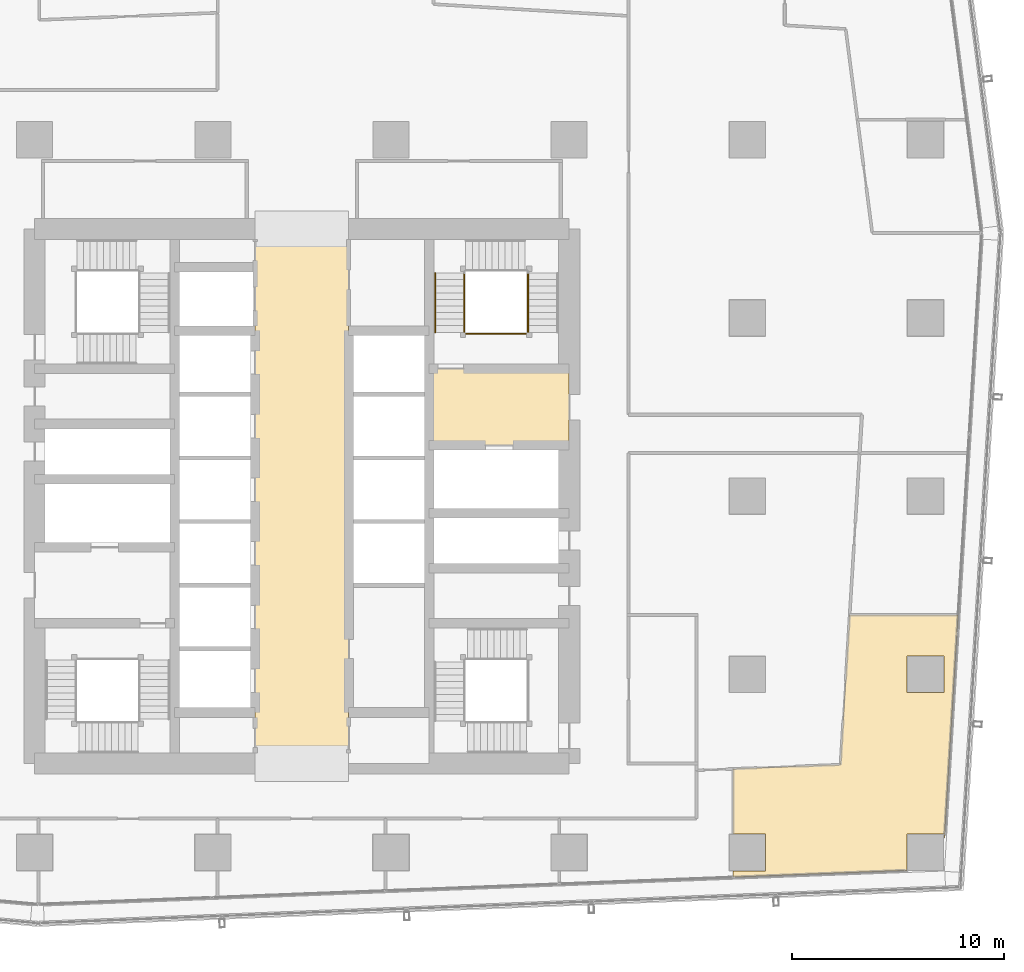
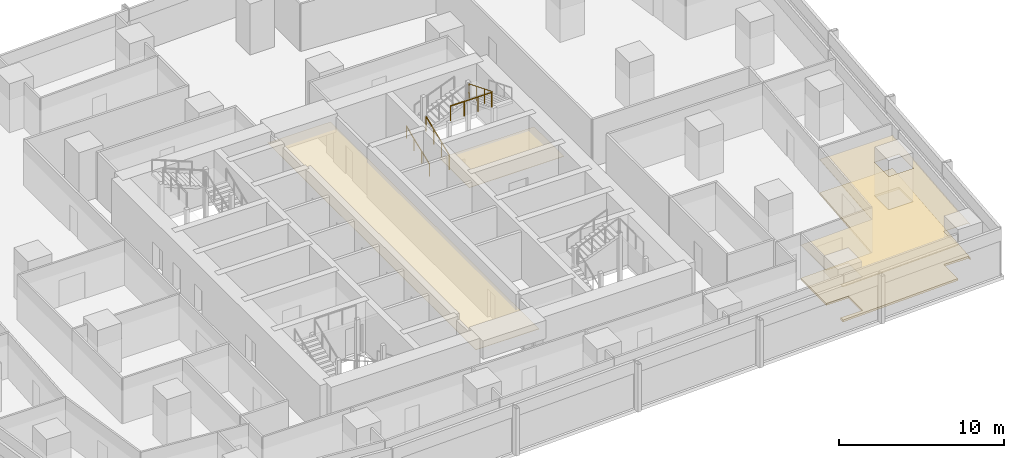
# One storey, part 38 of 40: 4 coverings, 4 railings.
"""IFC4 building model written with IfcOpenShell, lengths in metres."""

from ifc_helpers import new_model, si_unit, direction, frame, origin, origin_2d, place, context, subcontext, project, spatial, polyline, circle, outline, extrude, material, layer, layer_set, type_object, element, save


model = new_model("IFC4")

# Units and contexts
model_context = context("Model", 3, precision=1e-05, world=origin(), true_north=direction((0.0, 1.0)))
body_context = subcontext(model_context, "Body", "Model", "MODEL_VIEW")
ifc_project = project(units=[si_unit("LENGTHUNIT", "METRE"), si_unit("AREAUNIT", "SQUARE_METRE"), si_unit("VOLUMEUNIT", "CUBIC_METRE"), si_unit("PLANEANGLEUNIT", "RADIAN"), si_unit("MASSUNIT", "GRAM", prefix="KILO")], contexts=[model_context])

# Site, building, storey
site_placement = place(None, origin())
site = spatial("IfcSite", under=ifc_project, at=site_placement, CompositionType="ELEMENT")
building_placement = place(site_placement, origin())
building = spatial("IfcBuilding", under=site, at=building_placement, Name="Rekha Terrace Tower", CompositionType="ELEMENT")
storey_placement = place(building_placement, frame((0.0, 0.0, 136.550048828125)))
storey = spatial("IfcBuildingStorey", under=building, at=storey_placement, Name="L34", CompositionType="ELEMENT", Elevation=136.550048828125)

# Coverings
ifc_material_1 = material(Name="Mineral fibre tile in exposed grid", Category="finish")
ifc_layer_1 = layer(ifc_material_1, 0.02001953125)
ifc_layer_set_1 = layer_set([ifc_layer_1], Name="Mineral fibre tile in exposed grid")
covering_type_1 = type_object("IfcCoveringType", Name="CL1 600x1200 office grid ceiling", PredefinedType="CEILING", material=ifc_layer_set_1)
covering_1_placement = place(storey_placement, frame((0.0, 0.0, 2.579833984375)))
element("IfcCovering", 1, at=covering_1_placement, inside=storey, type_object=covering_type_1, Name="Ceiling L34-04", PredefinedType="CEILING", context=body_context, shape_type="SweptSolid", body=[
    extrude(outline(polyline([(63.625, 27.99609375), (63.193115234375, 20.93896484375), (58.134033203125, 20.741943359375), (58.134033203125, 17.6650390625), (59.6650390625, 17.6650390625), (59.6650390625, 15.93505859375), (58.134033203125, 15.93505859375), (58.134033203125, 15.637939453125), (66.3349609375, 15.95703125), (66.3349609375, 17.6650390625), (68.06494140625, 17.6650390625), (68.06494140625, 17.48095703125), (68.090087890625, 17.48095703125), (68.735107421875, 27.99609375), (63.625, 27.99609375)]), holes=[polyline([(68.06494140625, 24.3349609375), (66.3349609375, 24.3349609375), (66.3349609375, 26.06494140625), (68.06494140625, 26.06494140625), (68.06494140625, 24.3349609375)])]), origin(), (0.0, 0.0, 1.0), 0.02001953125),
])
ifc_material_2 = material(Name="Powder-coated aluminium pan", Category="aluminium")
ifc_layer_2 = layer(ifc_material_2, 0.030029296875)
ifc_layer_set_2 = layer_set([ifc_layer_2], Name="Powder-coated aluminium pan")
covering_type_2 = type_object("IfcCoveringType", Name="CL3 300x1200 metal pan ceiling", PredefinedType="CEILING", material=ifc_layer_set_2)
covering_2_placement = place(storey_placement, frame((0.0, 0.0, 2.570068359375)))
element("IfcCovering", 2, at=covering_2_placement, inside=storey, type_object=covering_type_2, Name="Ceiling L34-LOBBY", PredefinedType="CEILING", context=body_context, shape_type="SweptSolid", body=[
    extrude(outline(polyline([(40.0, 46.199951171875), (35.60009765625, 46.199951171875), (35.60009765625, 21.0), (40.0, 21.0), (40.0, 46.199951171875)])), origin(), (0.0, 0.0, 1.0), 0.02978515625),
])
covering_3_placement = place(storey_placement, frame((0.0, 0.0, 2.570068359375)))
element("IfcCovering", 3, at=covering_3_placement, inside=storey, type_object=covering_type_2, Name="Ceiling L34-FLB2", PredefinedType="CEILING", context=body_context, shape_type="SweptSolid", body=[
    extrude(outline(polyline([(50.39990234375, 39.60009765625), (43.800048828125, 39.60009765625), (43.800048828125, 36.0), (50.39990234375, 36.0), (50.39990234375, 39.60009765625)])), origin(), (0.0, 0.0, 1.0), 0.02978515625),
])

# Railings
ifc_material_3 = material(Name="Stainless steel balustrade", Category="steel")
railing_type_1 = type_object("IfcRailingType", Name="GR1 1100 stair guard", PredefinedType="GUARDRAIL", material=ifc_material_3)
railing_1_placement = place(storey_placement, frame((45.465087890625, 41.324951171875, 0.125)))
element("IfcRailing", 4, at=railing_1_placement, inside=storey, type_object=railing_type_1, Name="Guard ST2 L34 flight 1", PredefinedType="GUARDRAIL", context=body_context, shape_type="SweptSolid", body=[
    extrude(circle(Radius=0.02392578125, at=origin_2d()), frame((0.0, 0.0, 1.076171875), z_axis=(0.0, 0.927443287984, 0.373963831907), x_axis=(-1.0, 0.0, 0.0)), (0.0, 0.0, 1.0), 3.00830078125),
    extrude(circle(Radius=0.02099609375, at=origin_2d()), origin(), (0.0, 0.0, 1.0), 1.052001953125),
    extrude(circle(Radius=0.02099609375, at=origin_2d()), frame((0.0, 0.929931640625, 0.375)), (0.0, 0.0, 1.0), 1.052001953125),
    extrude(circle(Radius=0.02099609375, at=origin_2d()), frame((0.0, 1.860107421875, 0.75)), (0.0, 0.0, 1.0), 1.052001953125),
    extrude(circle(Radius=0.02099609375, at=origin_2d()), frame((0.0, 2.7900390625, 1.125)), (0.0, 0.0, 1.0), 1.052001953125),
])
railing_2_placement = place(storey_placement, frame((48.4599609375, 44.114990234375, 2.625)))
element("IfcRailing", 5, at=railing_2_placement, inside=storey, type_object=railing_type_1, Name="Guard ST2 L34 flight 3", PredefinedType="GUARDRAIL", context=body_context, shape_type="SweptSolid", body=[
    extrude(circle(Radius=0.02392578125, at=origin_2d()), frame((0.0, 0.0, 1.076171875), z_axis=(0.0, -0.927443287984, 0.373963831907), x_axis=(1.0, 0.0, 0.0)), (0.0, 0.0, 1.0), 3.00830078125),
    extrude(circle(Radius=0.02099609375, at=origin_2d()), origin(), (0.0, 0.0, 1.0), 1.052001953125),
    extrude(circle(Radius=0.02099609375, at=origin_2d()), frame((0.0, -0.929931640625, 0.375)), (0.0, 0.0, 1.0), 1.052001953125),
    extrude(circle(Radius=0.02099609375, at=origin_2d()), frame((0.0, -1.860107421875, 0.75)), (0.0, 0.0, 1.0), 1.052001953125),
    extrude(circle(Radius=0.02099609375, at=origin_2d()), frame((0.0, -2.7900390625, 1.125)), (0.0, 0.0, 1.0), 1.052001953125),
])
railing_3_placement = place(storey_placement, frame((45.52490234375, 41.264892578125, 3.75)))
element("IfcRailing", 6, at=railing_3_placement, inside=storey, type_object=railing_type_1, Name="Guard ST2 L34 landing 4", PredefinedType="GUARDRAIL", context=body_context, shape_type="SweptSolid", body=[
    extrude(circle(Radius=0.02392578125, at=origin_2d()), frame((0.0, 0.0, 1.076171875), z_axis=(1.0, 0.0, 0.0), x_axis=(0.0, 1.0, 0.0)), (0.0, 0.0, 1.0), 2.875),
    extrude(circle(Radius=0.02099609375, at=origin_2d()), origin(), (0.0, 0.0, 1.0), 1.052001953125),
    extrude(circle(Radius=0.02099609375, at=origin_2d()), frame((0.958251953125, 0.0, 0.0)), (0.0, 0.0, 1.0), 1.052001953125),
    extrude(circle(Radius=0.02099609375, at=origin_2d()), frame((1.916748046875, 0.0, 0.0)), (0.0, 0.0, 1.0), 1.052001953125),
    extrude(circle(Radius=0.02099609375, at=origin_2d()), frame((2.875, 0.0, 0.0)), (0.0, 0.0, 1.0), 1.052001953125),
])
ifc_material_4 = material(Name="Stainless steel tube", Category="steel")
railing_type_2 = type_object("IfcRailingType", Name="HR1 900 stair handrail", PredefinedType="HANDRAIL", material=ifc_material_4)
railing_4_placement = place(storey_placement, frame((44.0849609375, 41.324951171875, 0.125)))
element("IfcRailing", 7, at=railing_4_placement, inside=storey, type_object=railing_type_2, Name="Handrail ST2 L34 flight 1", PredefinedType="HANDRAIL", context=body_context, shape_type="SweptSolid", body=[
    extrude(circle(Radius=0.02392578125, at=origin_2d()), frame((0.0, 0.0, 0.8759765625), z_axis=(0.0, 0.927443287984, 0.373963831907), x_axis=(-1.0, 0.0, 0.0)), (0.0, 0.0, 1.0), 3.00830078125),
    extrude(circle(Radius=0.02099609375, at=origin_2d()), origin(), (0.0, 0.0, 1.0), 0.851806640625),
    extrude(circle(Radius=0.02099609375, at=origin_2d()), frame((0.0, 0.929931640625, 0.375)), (0.0, 0.0, 1.0), 0.851806640625),
    extrude(circle(Radius=0.02099609375, at=origin_2d()), frame((0.0, 1.860107421875, 0.75)), (0.0, 0.0, 1.0), 0.851806640625),
    extrude(circle(Radius=0.02099609375, at=origin_2d()), frame((0.0, 2.7900390625, 1.125)), (0.0, 0.0, 1.0), 0.851806640625),
])

# Covering
ifc_material_5 = material(Name="Calcium sulphate panels on steel pedestals", Category="steel")
ifc_layer_3 = layer(ifc_material_5, 0.14990234375)
ifc_layer_set_3 = layer_set([ifc_layer_3], Name="Calcium sulphate panels on steel pedestals")
covering_type_3 = type_object("IfcCoveringType", Name="RF1 150 raised access floor", PredefinedType="FLOORING", material=ifc_layer_set_3)
covering_4_placement = place(storey_placement, origin())
element("IfcCovering", 8, at=covering_4_placement, inside=storey, type_object=covering_type_3, Name="Raised floor L34-04", PredefinedType="FLOORING", context=body_context, shape_type="SweptSolid", body=[
    extrude(outline(polyline([(63.625, 27.99609375), (63.193115234375, 20.93896484375), (58.134033203125, 20.741943359375), (58.134033203125, 17.6650390625), (59.6650390625, 17.6650390625), (59.6650390625, 15.93505859375), (58.134033203125, 15.93505859375), (58.134033203125, 15.637939453125), (66.3349609375, 15.95703125), (66.3349609375, 17.6650390625), (68.06494140625, 17.6650390625), (68.06494140625, 17.48095703125), (68.090087890625, 17.48095703125), (68.735107421875, 27.99609375), (63.625, 27.99609375)]), holes=[polyline([(68.06494140625, 24.3349609375), (66.3349609375, 24.3349609375), (66.3349609375, 26.06494140625), (68.06494140625, 26.06494140625), (68.06494140625, 24.3349609375)])]), origin(), (0.0, 0.0, 1.0), 0.14990234375),
])

save(model, "model.ifc")
